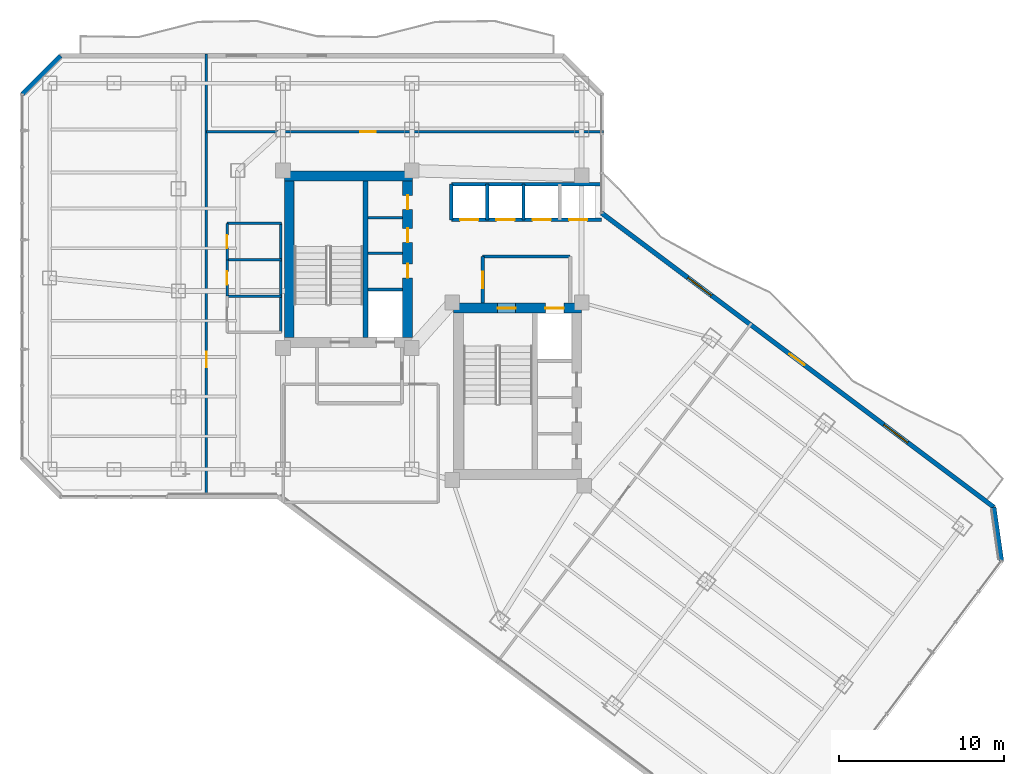
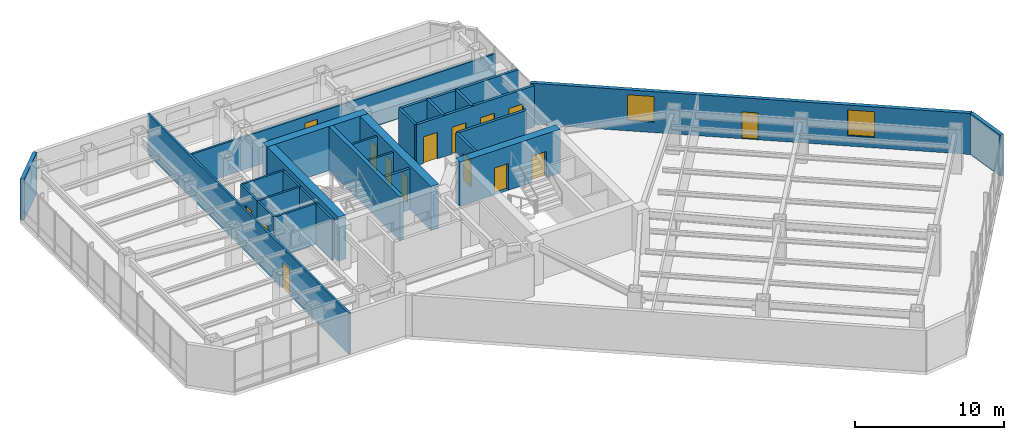
# One storey, part 23 of 29: 26 walls, 15 doors, 2 windows, 17 openings.
"""IFC4 building model written with IfcOpenShell, lengths in metres."""

from ifc_helpers import new_model, si_unit, direction, frame, frame_2d, origin, place, context, subcontext, project, spatial, rectangle, extrude, material, layer, layer_set, type_object, element, fill, save


model = new_model("IFC4")

# Units and contexts
model_context = context("Model", 3, precision=1e-05, world=origin(), true_north=direction((0.0, 1.0)))
body_context = subcontext(model_context, "Body", "Model", "MODEL_VIEW")
ifc_project = project(units=[si_unit("LENGTHUNIT", "METRE"), si_unit("AREAUNIT", "SQUARE_METRE"), si_unit("VOLUMEUNIT", "CUBIC_METRE"), si_unit("PLANEANGLEUNIT", "RADIAN"), si_unit("MASSUNIT", "GRAM", prefix="KILO")], contexts=[model_context])

# Site, building, storey
site_placement = place(None, origin())
site = spatial("IfcSite", under=ifc_project, at=site_placement, CompositionType="ELEMENT")
building_placement = place(site_placement, origin())
building = spatial("IfcBuilding", under=site, at=building_placement, Name="Hatsunagi Terrace Concourse", CompositionType="ELEMENT")
storey_placement = place(building_placement, frame((0.0, 0.0, 104.85009765625)))
storey = spatial("IfcBuildingStorey", under=building, at=storey_placement, Name="L27", CompositionType="ELEMENT", Elevation=104.85009765625)

# Walls
ifc_material_1 = material(Name="Concrete Fc48", Category="concrete")
ifc_layer_1 = layer(ifc_material_1, 0.60009765625)
ifc_layer_set_1 = layer_set([ifc_layer_1], Name="CoreShearWall_Fc48_600")
wall_type_1 = type_object("IfcWallType", Name="CoreShearWall_Fc48_600", PredefinedType="SHEAR", material=ifc_layer_set_1)
wall_1_placement = place(storey_placement, frame((25.6201171875, 42.969970703125, 0.0), z_axis=(0.0, 0.0, 1.0), x_axis=(1.0, 0.0, 0.0)))
element("IfcWall", 1, at=wall_1_placement, inside=storey, type_object=wall_type_1, Name="Core A Shear Wall N L27", PredefinedType="SHEAR", context=body_context, shape_type="SweptSolid", body=[
    extrude(rectangle(XDim=7.77978515625, YDim=0.60009765625, at=frame_2d((3.889892578125, 0.0))), origin(), (0.0, 0.0, 1.0), 3.599853515625),
])
wall_2_placement = place(storey_placement, frame((25.919921875, 33.18994140625, 0.0), z_axis=(0.0, 0.0, 1.0), x_axis=(0.0, 1.0, 0.0)))
element("IfcWall", 2, at=wall_2_placement, inside=storey, type_object=wall_type_1, Name="Core A Shear Wall W L27", PredefinedType="SHEAR", context=body_context, shape_type="SweptSolid", body=[
    extrude(rectangle(XDim=9.47998046875, YDim=0.60009765625, at=frame_2d((4.739990234375, 0.0))), origin(), (0.0, 0.0, 1.0), 3.599853515625),
])

# Wall, openings, doors
wall_3_placement = place(storey_placement, frame((33.10009765625, 33.18994140625, 0.0), z_axis=(0.0, 0.0, 1.0), x_axis=(0.0, 1.0, 0.0)))
wall_3 = element("IfcWall", 3, at=wall_3_placement, inside=storey, type_object=wall_type_1, Name="Core A Shear Wall E L27", PredefinedType="SHEAR", context=body_context, shape_type="SweptSolid", body=[
    extrude(rectangle(XDim=9.47998046875, YDim=0.60009765625, at=frame_2d((4.739990234375, 0.0))), origin(), (0.0, 0.0, 1.0), 3.599853515625),
])
opening_1_placement = place(wall_3_placement, frame((3.610107421875, 0.0, 0.0)))
opening_1 = element("IfcOpeningElement", 4, at=opening_1_placement, cuts=wall_3, Name="Opening DR-085", PredefinedType="OPENING", context=body_context, shape_type="SweptSolid", body=[
    extrude(rectangle(XDim=0.85009765625, YDim=2.080078125, at=frame_2d((0.425048828125, 1.0400390625))), frame((0.0, 0.31005859375, 0.0), z_axis=(0.0, -1.0, 0.0), x_axis=(1.0, 0.0, 0.0)), (0.0, 0.0, 1.0), 0.6201171875),
])
opening_2_placement = place(wall_3_placement, frame((5.760009765625, 0.0, 0.0)))
opening_2 = element("IfcOpeningElement", 5, at=opening_2_placement, cuts=wall_3, Name="Opening DR-085", PredefinedType="OPENING", context=body_context, shape_type="SweptSolid", body=[
    extrude(rectangle(XDim=0.85009765625, YDim=2.080078125, at=frame_2d((0.425048828125, 1.0400390625))), frame((0.0, 0.31005859375, 0.0), z_axis=(0.0, -1.0, 0.0), x_axis=(1.0, 0.0, 0.0)), (0.0, 0.0, 1.0), 0.6201171875),
])
opening_3_placement = place(wall_3_placement, frame((7.760009765625, 0.0, 0.0)))
opening_3 = element("IfcOpeningElement", 6, at=opening_3_placement, cuts=wall_3, Name="Opening DR-085", PredefinedType="OPENING", context=body_context, shape_type="SweptSolid", body=[
    extrude(rectangle(XDim=0.85009765625, YDim=2.080078125, at=frame_2d((0.425048828125, 1.0400390625))), frame((0.0, 0.31005859375, 0.0), z_axis=(0.0, -1.0, 0.0), x_axis=(1.0, 0.0, 0.0)), (0.0, 0.0, 1.0), 0.6201171875),
])
ifc_material_2 = material(Name="Painted steel", Category="steel")
door_type_1 = type_object("IfcDoorType", Name="RiserAccessDoor_EI60_850", OperationType="NOTDEFINED", PredefinedType="DOOR", material=ifc_material_2)
door_1_placement = place(opening_1_placement, origin())
door_1 = element("IfcDoor", 7, at=door_1_placement, inside=storey, type_object=door_type_1, Name="Core A Riser Door L27-1", OperationType="SINGLE_SWING_LEFT", OverallHeight=2.080078125, OverallWidth=0.85009765625, PredefinedType="DOOR", context=body_context, shape_type="SweptSolid", body=[
    extrude(rectangle(XDim=0.85009765625, YDim=2.080078125, at=frame_2d((0.425048828125, 1.0400390625))), frame((0.0, 0.02490234375, 0.0), z_axis=(0.0, -1.0, 0.0), x_axis=(1.0, 0.0, 0.0)), (0.0, 0.0, 1.0), 0.050048828125),
])
fill(opening_1, door_1)
door_2_placement = place(opening_2_placement, origin())
door_2 = element("IfcDoor", 8, at=door_2_placement, inside=storey, type_object=door_type_1, Name="Core A Riser Door L27-2", OperationType="SINGLE_SWING_LEFT", OverallHeight=2.080078125, OverallWidth=0.85009765625, PredefinedType="DOOR", context=body_context, shape_type="SweptSolid", body=[
    extrude(rectangle(XDim=0.85009765625, YDim=2.080078125, at=frame_2d((0.425048828125, 1.0400390625))), frame((0.0, 0.02490234375, 0.0), z_axis=(0.0, -1.0, 0.0), x_axis=(1.0, 0.0, 0.0)), (0.0, 0.0, 1.0), 0.050048828125),
])
fill(opening_2, door_2)
door_3_placement = place(opening_3_placement, origin())
door_3 = element("IfcDoor", 9, at=door_3_placement, inside=storey, type_object=door_type_1, Name="Core A Riser Door L27-3", OperationType="SINGLE_SWING_LEFT", OverallHeight=2.080078125, OverallWidth=0.85009765625, PredefinedType="DOOR", context=body_context, shape_type="SweptSolid", body=[
    extrude(rectangle(XDim=0.85009765625, YDim=2.080078125, at=frame_2d((0.425048828125, 1.0400390625))), frame((0.0, 0.02490234375, 0.0), z_axis=(0.0, -1.0, 0.0), x_axis=(1.0, 0.0, 0.0)), (0.0, 0.0, 1.0), 0.050048828125),
])
fill(opening_3, door_3)

wall_4_placement = place(storey_placement, frame((35.889892578125, 34.969970703125, 0.0), z_axis=(0.0, 0.0, 1.0), x_axis=(1.0, 0.0, 0.0)))
wall_4 = element("IfcWall", 10, at=wall_4_placement, inside=storey, type_object=wall_type_1, Name="Core B Shear Wall N L27", PredefinedType="SHEAR", context=body_context, shape_type="SweptSolid", body=[
    extrude(rectangle(XDim=7.760009765625, YDim=0.60009765625, at=frame_2d((3.8798828125, 0.0))), origin(), (0.0, 0.0, 1.0), 3.599853515625),
])
opening_4_placement = place(wall_4_placement, frame((2.659912109375, 0.0, 0.0)))
opening_4 = element("IfcOpeningElement", 11, at=opening_4_placement, cuts=wall_4, Name="Opening DR-110S", PredefinedType="OPENING", context=body_context, shape_type="SweptSolid", body=[
    extrude(rectangle(XDim=1.10009765625, YDim=2.199951171875, at=frame_2d((0.550048828125, 1.10009765625))), frame((0.0, 0.31005859375, 0.0), z_axis=(0.0, -1.0, 0.0), x_axis=(1.0, 0.0, 0.0)), (0.0, 0.0, 1.0), 0.6201171875),
])
opening_5_placement = place(wall_4_placement, frame((5.56005859375, 0.0, 0.0)))
opening_5 = element("IfcOpeningElement", 12, at=opening_5_placement, cuts=wall_4, Name="Opening LD-02", PredefinedType="OPENING", context=body_context, shape_type="SweptSolid", body=[
    extrude(rectangle(XDim=1.1201171875, YDim=2.14990234375, at=frame_2d((0.56005859375, 1.074951171875))), frame((0.0, 0.31005859375, 0.0), z_axis=(0.0, -1.0, 0.0), x_axis=(1.0, 0.0, 0.0)), (0.0, 0.0, 1.0), 0.6201171875),
])
ifc_material_3 = material(Name="Stainless steel", Category="steel")
door_type_2 = type_object("IfcDoorType", Name="LiftLandingDoor_LD02", OperationType="SLIDING_TO_RIGHT", PredefinedType="USERDEFINED", material=ifc_material_3)
door_4_placement = place(opening_5_placement, origin())
door_4 = element("IfcDoor", 13, at=door_4_placement, inside=storey, type_object=door_type_2, Name="Lift landing door FF-02 L27", ObjectType="SLIDING_LANDING_DOOR", OperationType="SLIDING_TO_RIGHT", OverallHeight=2.14990234375, OverallWidth=1.1201171875, PredefinedType="USERDEFINED", context=body_context, shape_type="SweptSolid", body=[
    extrude(rectangle(XDim=1.1201171875, YDim=2.14990234375, at=frame_2d((0.56005859375, 1.074951171875))), frame((0.0, 0.02490234375, 0.0), z_axis=(0.0, -1.0, 0.0), x_axis=(1.0, 0.0, 0.0)), (0.0, 0.0, 1.0), 0.050048828125),
])
fill(opening_5, door_4)
ifc_material_4 = material(Name="Painted steel", Category="steel")
door_type_3 = type_object("IfcDoorType", Name="StairFireDoor_EI60_1100", OperationType="NOTDEFINED", PredefinedType="DOOR", material=ifc_material_4)
door_5_placement = place(opening_4_placement, origin())
door_5 = element("IfcDoor", 14, at=door_5_placement, inside=storey, type_object=door_type_3, Name="Stair ST-B Exit Door L27", OperationType="SINGLE_SWING_RIGHT", OverallHeight=2.199951171875, OverallWidth=1.10009765625, PredefinedType="DOOR", context=body_context, shape_type="SweptSolid", body=[
    extrude(rectangle(XDim=1.10009765625, YDim=2.199951171875, at=frame_2d((0.550048828125, 1.10009765625))), frame((0.0, 0.02490234375, 0.0), z_axis=(0.0, -1.0, 0.0), x_axis=(1.0, 0.0, 0.0)), (0.0, 0.0, 1.0), 0.050048828125),
])
fill(opening_4, door_5)

# Walls
ifc_material_5 = material(Name="Concrete Fc48", Category="concrete")
ifc_layer_2 = layer(ifc_material_5, 0.300048828125)
ifc_layer_set_2 = layer_set([ifc_layer_2], Name="CoreStairDivider_Fc48_300")
wall_type_2 = type_object("IfcWallType", Name="CoreStairDivider_Fc48_300", PredefinedType="SHEAR", material=ifc_layer_set_2)
wall_5_placement = place(storey_placement, frame((30.5400390625, 33.18994140625, 0.0), z_axis=(0.0, 0.0, 1.0), x_axis=(0.0, 1.0, 0.0)))
element("IfcWall", 15, at=wall_5_placement, inside=storey, type_object=wall_type_2, Name="Core A Shear Wall D L27", PredefinedType="SHEAR", context=body_context, shape_type="SweptSolid", body=[
    extrude(rectangle(XDim=9.47998046875, YDim=0.300048828125, at=frame_2d((4.739990234375, 0.0))), origin(), (0.0, 0.0, 1.0), 3.599853515625),
])
ifc_material_6 = material(Name="Acoustic mineral board", Category="gypsum")
ifc_layer_3 = layer(ifc_material_6, 0.14990234375)
ifc_layer_set_3 = layer_set([ifc_layer_3], Name="PartitionWall_EI60_150")
wall_type_3 = type_object("IfcWallType", Name="PartitionWall_EI60_150", PredefinedType="PARTITIONING", material=ifc_layer_set_3)
for number, where, z_axis, x_axis, name in (
    (16, (30.699951171875, 38.300048828125, 0.0), (0.0, 0.0, 1.0), (1.0, 0.0, 0.0), "Interior Partition IW-L27-002"),
    (17, (30.699951171875, 40.449951171875, 0.0), (0.0, 0.0, 1.0), (1.0, 0.0, 0.0), "Interior Partition IW-L27-003"),
):
    element("IfcWall", number, at=place(storey_placement, frame(where, z_axis=z_axis, x_axis=x_axis)), inside=storey, type_object=wall_type_3, Name=name, PredefinedType="PARTITIONING", context=body_context, shape_type="SweptSolid", body=[
        extrude(rectangle(XDim=2.10009765625, YDim=0.14990234375, at=frame_2d((1.050048828125, 0.0))), origin(), (0.0, 0.0, 1.0), 3.349853515625),
    ])
wall_6_placement = place(storey_placement, frame((22.14990234375, 40.10009765625, 0.0), z_axis=(0.0, 0.0, 1.0), x_axis=(1.0, 0.0, 0.0)))
element("IfcWall", 18, at=wall_6_placement, inside=storey, type_object=wall_type_3, Name="Interior Partition IW-L27-020", PredefinedType="PARTITIONING", context=body_context, shape_type="SweptSolid", body=[
    extrude(rectangle(XDim=3.300048828125, YDim=0.14990234375, at=frame_2d((1.64990234375, 0.0))), origin(), (0.0, 0.0, 1.0), 3.349853515625),
])
wall_7_placement = place(storey_placement, frame((25.39990234375, 33.5, 0.0), z_axis=(0.0, 0.0, 1.0), x_axis=(0.0, 1.0, 0.0)))
element("IfcWall", 19, at=wall_7_placement, inside=storey, type_object=wall_type_3, Name="Interior Partition IW-L27-021", PredefinedType="PARTITIONING", context=body_context, shape_type="SweptSolid", body=[
    extrude(rectangle(XDim=6.60009765625, YDim=0.14990234375, at=frame_2d((3.300048828125, 0.0))), origin(), (0.0, 0.0, 1.0), 3.349853515625),
])
for number, where, z_axis, x_axis, name in (
    (20, (22.14990234375, 35.699951171875, 0.0), (0.0, 0.0, 1.0), (1.0, 0.0, 0.0), "Interior Partition IW-L27-022"),
    (21, (22.14990234375, 37.89990234375, 0.0), (0.0, 0.0, 1.0), (1.0, 0.0, 0.0), "Interior Partition IW-L27-023"),
):
    element("IfcWall", number, at=place(storey_placement, frame(where, z_axis=z_axis, x_axis=x_axis)), inside=storey, type_object=wall_type_3, Name=name, PredefinedType="PARTITIONING", context=body_context, shape_type="SweptSolid", body=[
        extrude(rectangle(XDim=3.300048828125, YDim=0.14990234375, at=frame_2d((1.64990234375, 0.0))), origin(), (0.0, 0.0, 1.0), 3.349853515625),
    ])

# Wall, opening, door
wall_8_placement = place(storey_placement, frame((22.14990234375, 35.699951171875, 0.0), z_axis=(0.0, 0.0, 1.0), x_axis=(0.0, 1.0, 0.0)))
wall_8 = element("IfcWall", 22, at=wall_8_placement, inside=storey, type_object=wall_type_3, Name="Interior Partition IW-L27-025", PredefinedType="PARTITIONING", context=body_context, shape_type="SweptSolid", body=[
    extrude(rectangle(XDim=2.199951171875, YDim=0.14990234375, at=frame_2d((1.10009765625, 0.0))), origin(), (0.0, 0.0, 1.0), 3.349853515625),
])
opening_6_placement = place(wall_8_placement, frame((0.699951171875, 0.0, 0.0)))
opening_6 = element("IfcOpeningElement", 23, at=opening_6_placement, cuts=wall_8, Name="Opening DR-080", PredefinedType="OPENING", context=body_context, shape_type="SweptSolid", body=[
    extrude(rectangle(XDim=0.800048828125, YDim=2.06005859375, at=frame_2d((0.39990234375, 1.030029296875))), frame((0.0, 0.0849609375, 0.0), z_axis=(0.0, -1.0, 0.0), x_axis=(1.0, 0.0, 0.0)), (0.0, 0.0, 1.0), 0.169921875),
])
ifc_material_7 = material(Name="Hardwood timber", Category="wood")
door_type_4 = type_object("IfcDoorType", Name="BathroomDoor_800", OperationType="NOTDEFINED", PredefinedType="DOOR", material=ifc_material_7)
door_6_placement = place(opening_6_placement, origin())
door_6 = element("IfcDoor", 24, at=door_6_placement, inside=storey, type_object=door_type_4, Name="Female Restroom Door L27", OperationType="SINGLE_SWING_RIGHT", OverallHeight=2.06005859375, OverallWidth=0.800048828125, PredefinedType="DOOR", context=body_context, shape_type="SweptSolid", body=[
    extrude(rectangle(XDim=0.800048828125, YDim=2.06005859375, at=frame_2d((0.39990234375, 1.030029296875))), frame((0.0, 0.02490234375, 0.0), z_axis=(0.0, -1.0, 0.0), x_axis=(1.0, 0.0, 0.0)), (0.0, 0.0, 1.0), 0.050048828125),
])
fill(opening_6, door_6)

wall_9_placement = place(storey_placement, frame((22.14990234375, 37.89990234375, 0.0), z_axis=(0.0, 0.0, 1.0), x_axis=(0.0, 1.0, 0.0)))
wall_9 = element("IfcWall", 25, at=wall_9_placement, inside=storey, type_object=wall_type_3, Name="Interior Partition IW-L27-026", PredefinedType="PARTITIONING", context=body_context, shape_type="SweptSolid", body=[
    extrude(rectangle(XDim=2.2001953125, YDim=0.14990234375, at=frame_2d((1.10009765625, 0.0))), origin(), (0.0, 0.0, 1.0), 3.349853515625),
])
opening_7_placement = place(wall_9_placement, frame((0.699951171875, 0.0, 0.0)))
opening_7 = element("IfcOpeningElement", 26, at=opening_7_placement, cuts=wall_9, Name="Opening DR-080", PredefinedType="OPENING", context=body_context, shape_type="SweptSolid", body=[
    extrude(rectangle(XDim=0.800048828125, YDim=2.06005859375, at=frame_2d((0.39990234375, 1.030029296875))), frame((0.0, 0.0849609375, 0.0), z_axis=(0.0, -1.0, 0.0), x_axis=(1.0, 0.0, 0.0)), (0.0, 0.0, 1.0), 0.169921875),
])
door_7_placement = place(opening_7_placement, origin())
door_7 = element("IfcDoor", 27, at=door_7_placement, inside=storey, type_object=door_type_4, Name="Male Restroom Door L27", OperationType="SINGLE_SWING_RIGHT", OverallHeight=2.06005859375, OverallWidth=0.800048828125, PredefinedType="DOOR", context=body_context, shape_type="SweptSolid", body=[
    extrude(rectangle(XDim=0.800048828125, YDim=2.06005859375, at=frame_2d((0.39990234375, 1.030029296875))), frame((0.0, 0.02490234375, 0.0), z_axis=(0.0, -1.0, 0.0), x_axis=(1.0, 0.0, 0.0)), (0.0, 0.0, 1.0), 0.050048828125),
])
fill(opening_7, door_7)

wall_10_placement = place(storey_placement, frame((20.89990234375, 23.43994140625, 0.0), z_axis=(0.0, 0.0, 1.0), x_axis=(0.0, 1.0, 0.0)))
wall_10 = element("IfcWall", 28, at=wall_10_placement, inside=storey, type_object=wall_type_3, Name="Interior Partition IW-L27-031", PredefinedType="PARTITIONING", context=body_context, shape_type="SweptSolid", body=[
    extrude(rectangle(XDim=26.920166015625, YDim=0.14990234375, at=frame_2d((13.4599609375, 0.0))), origin(), (0.0, 0.0, 1.0), 3.349853515625),
])
opening_8_placement = place(wall_10_placement, frame((7.943115234375, 0.0, 0.0)))
opening_8 = element("IfcOpeningElement", 29, at=opening_8_placement, cuts=wall_10, Name="Opening DR-095", PredefinedType="OPENING", context=body_context, shape_type="SweptSolid", body=[
    extrude(rectangle(XDim=0.949951171875, YDim=2.14990234375, at=frame_2d((0.47509765625, 1.074951171875))), frame((0.0, 0.0849609375, 0.0), z_axis=(0.0, -1.0, 0.0), x_axis=(1.0, 0.0, 0.0)), (0.0, 0.0, 1.0), 0.169921875),
])
ifc_material_8 = material(Name="Hardwood timber", Category="wood")
door_type_5 = type_object("IfcDoorType", Name="InteriorSuiteDoor_EI30_950", OperationType="NOTDEFINED", PredefinedType="DOOR", material=ifc_material_8)
door_8_placement = place(opening_8_placement, origin())
door_8 = element("IfcDoor", 30, at=door_8_placement, inside=storey, type_object=door_type_5, Name="Open Plan Office L27-OW1 Door", OperationType="SINGLE_SWING_RIGHT", OverallHeight=2.14990234375, OverallWidth=0.949951171875, PredefinedType="DOOR", context=body_context, shape_type="SweptSolid", body=[
    extrude(rectangle(XDim=0.949951171875, YDim=2.14990234375, at=frame_2d((0.47509765625, 1.074951171875))), frame((0.0, 0.02490234375, 0.0), z_axis=(0.0, -1.0, 0.0), x_axis=(1.0, 0.0, 0.0)), (0.0, 0.0, 1.0), 0.050048828125),
])
fill(opening_8, door_8)

wall_11_placement = place(storey_placement, frame((20.89990234375, 45.64990234375, 0.0), z_axis=(0.0, 0.0, 1.0), x_axis=(1.0, 0.0, 0.0)))
wall_11 = element("IfcWall", 31, at=wall_11_placement, inside=storey, type_object=wall_type_3, Name="Interior Partition IW-L27-032", PredefinedType="PARTITIONING", context=body_context, shape_type="SweptSolid", body=[
    extrude(rectangle(XDim=24.06005859375, YDim=0.14990234375, at=frame_2d((12.030029296875, 0.0))), origin(), (0.0, 0.0, 1.0), 2.69482421875),
])
opening_9_placement = place(wall_11_placement, frame((9.320068359375, 0.0, 0.0)))
opening_9 = element("IfcOpeningElement", 32, at=opening_9_placement, cuts=wall_11, Name="Opening DR-095", PredefinedType="OPENING", context=body_context, shape_type="SweptSolid", body=[
    extrude(rectangle(XDim=0.949951171875, YDim=2.14990234375, at=frame_2d((0.47509765625, 1.074951171875))), frame((0.0, 0.0849609375, 0.0), z_axis=(0.0, -1.0, 0.0), x_axis=(1.0, 0.0, 0.0)), (0.0, 0.0, 1.0), 0.169921875),
])
door_9_placement = place(opening_9_placement, origin())
door_9 = element("IfcDoor", 33, at=door_9_placement, inside=storey, type_object=door_type_5, Name="Collaboration Lounge L27-ON1 Door", OperationType="SINGLE_SWING_RIGHT", OverallHeight=2.14990234375, OverallWidth=0.949951171875, PredefinedType="DOOR", context=body_context, shape_type="SweptSolid", body=[
    extrude(rectangle(XDim=0.949951171875, YDim=2.14990234375, at=frame_2d((0.47509765625, 1.074951171875))), frame((0.0, 0.02490234375, 0.0), z_axis=(0.0, -1.0, 0.0), x_axis=(1.0, 0.0, 0.0)), (0.0, 0.0, 1.0), 0.050048828125),
])
fill(opening_9, door_9)

# Walls
ifc_material_9 = material(Name="Acoustic mineral board", Category="gypsum")
ifc_layer_4 = layer(ifc_material_9, 0.199951171875)
ifc_layer_set_4 = layer_set([ifc_layer_4], Name="ShaftWall_EI120_200")
wall_type_4 = type_object("IfcWallType", Name="ShaftWall_EI120_200", PredefinedType="STANDARD", material=ifc_layer_set_4)
wall_12_placement = place(storey_placement, frame((30.699951171875, 36.10009765625, 0.0), z_axis=(0.0, 0.0, 1.0), x_axis=(1.0, 0.0, 0.0)))
element("IfcWall", 34, at=wall_12_placement, inside=storey, type_object=wall_type_4, Name="Interior Partition IW-L27-001", PredefinedType="STANDARD", context=body_context, shape_type="SweptSolid", body=[
    extrude(rectangle(XDim=2.10009765625, YDim=0.199951171875, at=frame_2d((1.050048828125, 0.0))), origin(), (0.0, 0.0, 1.0), 3.349853515625),
])
wall_13_placement = place(storey_placement, frame((37.64990234375, 38.10009765625, 0.0), z_axis=(0.0, 0.0, 1.0), x_axis=(1.0, 0.0, 0.0)))
element("IfcWall", 35, at=wall_13_placement, inside=storey, type_object=wall_type_4, Name="Interior Partition IW-L27-010", PredefinedType="STANDARD", context=body_context, shape_type="SweptSolid", body=[
    extrude(rectangle(XDim=5.300048828125, YDim=0.199951171875, at=frame_2d((2.64990234375, 0.0))), origin(), (0.0, 0.0, 1.0), 3.349853515625),
])

# Wall, opening, door
wall_14_placement = place(storey_placement, frame((37.64990234375, 35.27001953125, 0.0), z_axis=(0.0, 0.0, 1.0), x_axis=(0.0, 1.0, 0.0)))
wall_14 = element("IfcWall", 36, at=wall_14_placement, inside=storey, type_object=wall_type_4, Name="Interior Partition IW-L27-012", PredefinedType="STANDARD", context=body_context, shape_type="SweptSolid", body=[
    extrude(rectangle(XDim=2.830078125, YDim=0.199951171875, at=frame_2d((1.4150390625, 0.0))), origin(), (0.0, 0.0, 1.0), 3.349853515625),
])
opening_10_placement = place(wall_14_placement, frame((0.9150390625, 0.0, 0.0)))
opening_10 = element("IfcOpeningElement", 37, at=opening_10_placement, cuts=wall_14, Name="Opening DR-100F", PredefinedType="OPENING", context=body_context, shape_type="SweptSolid", body=[
    extrude(rectangle(XDim=1.0, YDim=2.199951171875, at=frame_2d((0.5, 1.10009765625))), frame((0.0, 0.10986328125, 0.0), z_axis=(0.0, -1.0, 0.0), x_axis=(1.0, 0.0, 0.0)), (0.0, 0.0, 1.0), 0.219970703125),
])
ifc_material_10 = material(Name="Painted steel", Category="steel")
door_type_6 = type_object("IfcDoorType", Name="FireDoor_EI60_1000", OperationType="NOTDEFINED", PredefinedType="DOOR", material=ifc_material_10)
door_10_placement = place(opening_10_placement, origin())
door_10 = element("IfcDoor", 38, at=door_10_placement, inside=storey, type_object=door_type_6, Name="Firefighting Lobby B Door L27", OperationType="SINGLE_SWING_RIGHT", OverallHeight=2.199951171875, OverallWidth=1.0, PredefinedType="DOOR", context=body_context, shape_type="SweptSolid", body=[
    extrude(rectangle(XDim=1.0, YDim=2.199951171875, at=frame_2d((0.5, 1.10009765625))), frame((0.0, 0.02490234375, 0.0), z_axis=(0.0, -1.0, 0.0), x_axis=(1.0, 0.0, 0.0)), (0.0, 0.0, 1.0), 0.050048828125),
])
fill(opening_10, door_10)

# Walls
wall_15_placement = place(storey_placement, frame((35.75, 42.47998046875, 0.0), z_axis=(0.0, 0.0, 1.0), x_axis=(1.0, 0.0, 0.0)))
element("IfcWall", 39, at=wall_15_placement, inside=storey, type_object=wall_type_4, Name="Interior Partition IW-L27-013", PredefinedType="STANDARD", context=body_context, shape_type="SweptSolid", body=[
    extrude(rectangle(XDim=9.110107421875, YDim=0.199951171875, at=frame_2d((4.55517578125, 0.0))), origin(), (0.0, 0.0, 1.0), 3.349853515625),
])
for number, where, z_axis, x_axis, name in (
    (40, (35.75, 40.320068359375, 0.0), (0.0, 0.0, 1.0), (0.0, 1.0, 0.0), "Interior Partition IW-L27-014"),
    (41, (37.919921875, 40.320068359375, 0.0), (0.0, 0.0, 1.0), (0.0, 1.0, 0.0), "Interior Partition IW-L27-015"),
    (42, (40.1201171875, 40.320068359375, 0.0), (0.0, 0.0, 1.0), (0.0, 1.0, 0.0), "Interior Partition IW-L27-016"),
):
    element("IfcWall", number, at=place(storey_placement, frame(where, z_axis=z_axis, x_axis=x_axis)), inside=storey, type_object=wall_type_4, Name=name, PredefinedType="STANDARD", context=body_context, shape_type="SweptSolid", body=[
        extrude(rectangle(XDim=2.159912109375, YDim=0.199951171875, at=frame_2d((1.080078125, 0.0))), origin(), (0.0, 0.0, 1.0), 3.349853515625),
    ])

# Wall, openings, doors
wall_16_placement = place(storey_placement, frame((35.75, 40.320068359375, 0.0), z_axis=(0.0, 0.0, 1.0), x_axis=(1.0, 0.0, 0.0)))
wall_16 = element("IfcWall", 43, at=wall_16_placement, inside=storey, type_object=wall_type_4, Name="Interior Partition IW-L27-018", PredefinedType="STANDARD", context=body_context, shape_type="SweptSolid", body=[
    extrude(rectangle(XDim=9.110107421875, YDim=0.199951171875, at=frame_2d((4.55517578125, 0.0))), origin(), (0.0, 0.0, 1.0), 3.349853515625),
])
opening_11_placement = place(wall_16_placement, frame((0.530029296875, 0.0, 0.0)))
opening_11 = element("IfcOpeningElement", 44, at=opening_11_placement, cuts=wall_16, Name="Opening LD-04", PredefinedType="OPENING", context=body_context, shape_type="SweptSolid", body=[
    extrude(rectangle(XDim=1.10009765625, YDim=2.179931640625, at=frame_2d((0.550048828125, 1.08984375))), frame((0.0, 0.10986328125, 0.0), z_axis=(0.0, -1.0, 0.0), x_axis=(1.0, 0.0, 0.0)), (0.0, 0.0, 1.0), 0.219970703125),
])
opening_12_placement = place(wall_16_placement, frame((2.72998046875, 0.0, 0.0)))
opening_12 = element("IfcOpeningElement", 45, at=opening_12_placement, cuts=wall_16, Name="Opening LD-04", PredefinedType="OPENING", context=body_context, shape_type="SweptSolid", body=[
    extrude(rectangle(XDim=1.10009765625, YDim=2.179931640625, at=frame_2d((0.550048828125, 1.08984375))), frame((0.0, 0.10986328125, 0.0), z_axis=(0.0, -1.0, 0.0), x_axis=(1.0, 0.0, 0.0)), (0.0, 0.0, 1.0), 0.219970703125),
])
opening_13_placement = place(wall_16_placement, frame((4.929931640625, 0.0, 0.0)))
opening_13 = element("IfcOpeningElement", 46, at=opening_13_placement, cuts=wall_16, Name="Opening LD-04", PredefinedType="OPENING", context=body_context, shape_type="SweptSolid", body=[
    extrude(rectangle(XDim=1.10009765625, YDim=2.179931640625, at=frame_2d((0.550048828125, 1.08984375))), frame((0.0, 0.10986328125, 0.0), z_axis=(0.0, -1.0, 0.0), x_axis=(1.0, 0.0, 0.0)), (0.0, 0.0, 1.0), 0.219970703125),
])
opening_14_placement = place(wall_16_placement, frame((7.1298828125, 0.0, 0.0)))
opening_14 = element("IfcOpeningElement", 47, at=opening_14_placement, cuts=wall_16, Name="Opening LD-04", PredefinedType="OPENING", context=body_context, shape_type="SweptSolid", body=[
    extrude(rectangle(XDim=1.10009765625, YDim=2.179931640625, at=frame_2d((0.550048828125, 1.08984375))), frame((0.0, 0.10986328125, 0.0), z_axis=(0.0, -1.0, 0.0), x_axis=(1.0, 0.0, 0.0)), (0.0, 0.0, 1.0), 0.219970703125),
])
ifc_material_11 = material(Name="Stainless steel", Category="steel")
door_type_7 = type_object("IfcDoorType", Name="LiftLandingDoor_LD04", OperationType="SLIDING_TO_RIGHT", PredefinedType="USERDEFINED", material=ifc_material_11)
door_11_placement = place(opening_11_placement, origin())
door_11 = element("IfcDoor", 48, at=door_11_placement, inside=storey, type_object=door_type_7, Name="Lift landing door PL-05 L27", ObjectType="SLIDING_LANDING_DOOR", OperationType="SLIDING_TO_RIGHT", OverallHeight=2.179931640625, OverallWidth=1.10009765625, PredefinedType="USERDEFINED", context=body_context, shape_type="SweptSolid", body=[
    extrude(rectangle(XDim=1.10009765625, YDim=2.179931640625, at=frame_2d((0.550048828125, 1.08984375))), frame((0.0, 0.02490234375, 0.0), z_axis=(0.0, -1.0, 0.0), x_axis=(1.0, 0.0, 0.0)), (0.0, 0.0, 1.0), 0.050048828125),
])
fill(opening_11, door_11)
door_12_placement = place(opening_12_placement, origin())
door_12 = element("IfcDoor", 49, at=door_12_placement, inside=storey, type_object=door_type_7, Name="Lift landing door PL-06 L27", ObjectType="SLIDING_LANDING_DOOR", OperationType="SLIDING_TO_RIGHT", OverallHeight=2.179931640625, OverallWidth=1.10009765625, PredefinedType="USERDEFINED", context=body_context, shape_type="SweptSolid", body=[
    extrude(rectangle(XDim=1.10009765625, YDim=2.179931640625, at=frame_2d((0.550048828125, 1.08984375))), frame((0.0, 0.02490234375, 0.0), z_axis=(0.0, -1.0, 0.0), x_axis=(1.0, 0.0, 0.0)), (0.0, 0.0, 1.0), 0.050048828125),
])
fill(opening_12, door_12)
door_13_placement = place(opening_13_placement, origin())
door_13 = element("IfcDoor", 50, at=door_13_placement, inside=storey, type_object=door_type_7, Name="Lift landing door PL-07 L27", ObjectType="SLIDING_LANDING_DOOR", OperationType="SLIDING_TO_RIGHT", OverallHeight=2.179931640625, OverallWidth=1.10009765625, PredefinedType="USERDEFINED", context=body_context, shape_type="SweptSolid", body=[
    extrude(rectangle(XDim=1.10009765625, YDim=2.179931640625, at=frame_2d((0.550048828125, 1.08984375))), frame((0.0, 0.02490234375, 0.0), z_axis=(0.0, -1.0, 0.0), x_axis=(1.0, 0.0, 0.0)), (0.0, 0.0, 1.0), 0.050048828125),
])
fill(opening_13, door_13)
door_14_placement = place(opening_14_placement, origin())
door_14 = element("IfcDoor", 51, at=door_14_placement, inside=storey, type_object=door_type_7, Name="Lift landing door PL-08 L27", ObjectType="SLIDING_LANDING_DOOR", OperationType="SLIDING_TO_RIGHT", OverallHeight=2.179931640625, OverallWidth=1.10009765625, PredefinedType="USERDEFINED", context=body_context, shape_type="SweptSolid", body=[
    extrude(rectangle(XDim=1.10009765625, YDim=2.179931640625, at=frame_2d((0.550048828125, 1.08984375))), frame((0.0, 0.02490234375, 0.0), z_axis=(0.0, -1.0, 0.0), x_axis=(1.0, 0.0, 0.0)), (0.0, 0.0, 1.0), 0.050048828125),
])
fill(opening_14, door_14)

# Wall, openings, door, windows
ifc_material_12 = material(Name="Autoclaved Lightweight Concrete and Terracotta Cladding", Category="masonry")
ifc_layer_5 = layer(ifc_material_12, 0.280029296875)
ifc_layer_set_5 = layer_set([ifc_layer_5], Name="TerracottaSpandrelWall_280")
wall_type_5 = type_object("IfcWallType", Name="TerracottaSpandrelWall_280", PredefinedType="STANDARD", material=ifc_layer_set_5)
wall_17_placement = place(storey_placement, frame((44.860107421875, 40.72998046875, 0.0), z_axis=(0.0, 0.0, 1.0), x_axis=(0.800006902154, -0.599990797017, 0.0)))
wall_17 = element("IfcWall", 52, at=wall_17_placement, inside=storey, type_object=wall_type_5, Name="Exterior Spandrel Wall EW-L27-01", PredefinedType="STANDARD", context=body_context, shape_type="SweptSolid", body=[
    extrude(rectangle(XDim=29.7119140625, YDim=0.280029296875, at=frame_2d((14.85595703125, 0.0))), origin(), (0.0, 0.0, 1.0), 3.349853515625),
])
opening_15_placement = place(wall_17_placement, frame((14.2490234375, 0.0, 0.0)))
opening_15 = element("IfcOpeningElement", 53, at=opening_15_placement, cuts=wall_17, Name="Opening BD-01", PredefinedType="OPENING", context=body_context, shape_type="SweptSolid", body=[
    extrude(rectangle(XDim=1.10009765625, YDim=2.199951171875, at=frame_2d((0.550048828125, 1.10009765625))), frame((0.0, 0.14990234375, 0.0), z_axis=(0.0, -1.0, 0.0), x_axis=(1.0, 0.0, 0.0)), (0.0, 0.0, 1.0), 0.300048828125),
])
opening_16_placement = place(wall_17_placement, frame((6.528076171875, 0.0, 0.85009765625)))
opening_16 = element("IfcOpeningElement", 54, at=opening_16_placement, cuts=wall_17, Name="Opening WIN-03", PredefinedType="OPENING", context=body_context, shape_type="SweptSolid", body=[
    extrude(rectangle(XDim=1.800048828125, YDim=2.10009765625, at=frame_2d((0.89990234375, 1.050048828125))), frame((0.0, 0.14990234375, 0.0), z_axis=(0.0, -1.0, 0.0), x_axis=(1.0, 0.0, 0.0)), (0.0, 0.0, 1.0), 0.300048828125),
])
opening_17_placement = place(wall_17_placement, frame((21.384033203125, 0.0, 0.85009765625)))
opening_17 = element("IfcOpeningElement", 55, at=opening_17_placement, cuts=wall_17, Name="Opening WIN-03", PredefinedType="OPENING", context=body_context, shape_type="SweptSolid", body=[
    extrude(rectangle(XDim=1.800048828125, YDim=2.10009765625, at=frame_2d((0.89990234375, 1.050048828125))), frame((0.0, 0.14990234375, 0.0), z_axis=(0.0, -1.0, 0.0), x_axis=(1.0, 0.0, 0.0)), (0.0, 0.0, 1.0), 0.300048828125),
])
ifc_material_13 = material(Name="Galvanised Steel and Laminated Safety Glass", Category="steel")
door_type_8 = type_object("IfcDoorType", Name="BalconyTerraceAccessDoor_1100x2200", OperationType="SINGLE_SWING_LEFT", PredefinedType="DOOR", material=ifc_material_13)
door_15_placement = place(opening_15_placement, origin())
door_15 = element("IfcDoor", 56, at=door_15_placement, inside=storey, type_object=door_type_8, Name="Engawa Balcony Door L27-BSE", OperationType="SINGLE_SWING_LEFT", OverallHeight=2.199951171875, OverallWidth=1.10009765625, PredefinedType="DOOR", context=body_context, shape_type="SweptSolid", body=[
    extrude(rectangle(XDim=1.10009765625, YDim=2.199951171875, at=frame_2d((0.550048828125, 1.10009765625))), frame((0.0, 0.02490234375, 0.0), z_axis=(0.0, -1.0, 0.0), x_axis=(1.0, 0.0, 0.0)), (0.0, 0.0, 1.0), 0.050048828125),
])
fill(opening_15, door_15)
ifc_material_14 = material(Name="Thermally Broken Aluminium and Low-E Triple Glazing", Category="aluminium")
window_type = type_object("IfcWindowType", Name="OfficeCornerFeatureWindow_1800x2100", PartitioningType="SINGLE_PANEL", PredefinedType="WINDOW", material=ifc_material_14)
window_1_placement = place(opening_16_placement, origin())
window_1 = element("IfcWindow", 57, at=window_1_placement, inside=storey, type_object=window_type, Name="Balcony Daylighting Window L27-01-1", OverallHeight=2.10009765625, OverallWidth=1.800048828125, PartitioningType="SINGLE_PANEL", PredefinedType="WINDOW", context=body_context, shape_type="SweptSolid", body=[
    extrude(rectangle(XDim=1.800048828125, YDim=2.10009765625, at=frame_2d((0.89990234375, 1.050048828125))), frame((0.0, 0.030029296875, 0.0), z_axis=(0.0, -1.0, 0.0), x_axis=(1.0, 0.0, 0.0)), (0.0, 0.0, 1.0), 0.06005859375),
])
fill(opening_16, window_1)
window_2_placement = place(opening_17_placement, origin())
window_2 = element("IfcWindow", 58, at=window_2_placement, inside=storey, type_object=window_type, Name="Balcony Daylighting Window L27-01-2", OverallHeight=2.10009765625, OverallWidth=1.800048828125, PartitioningType="SINGLE_PANEL", PredefinedType="WINDOW", context=body_context, shape_type="SweptSolid", body=[
    extrude(rectangle(XDim=1.800048828125, YDim=2.10009765625, at=frame_2d((0.89990234375, 1.050048828125))), frame((0.0, 0.030029296875, 0.0), z_axis=(0.0, -1.0, 0.0), x_axis=(1.0, 0.0, 0.0)), (0.0, 0.0, 1.0), 0.06005859375),
])
fill(opening_17, window_2)

# Walls
wall_18_placement = place(storey_placement, frame((68.6298828125, 22.903076171875, 0.0), z_axis=(0.0, 0.0, 1.0), x_axis=(0.141285803956, -0.989968848803, 0.0)))
element("IfcWall", 59, at=wall_18_placement, inside=storey, type_object=wall_type_5, Name="Exterior Spandrel Wall EW-L27-02", PredefinedType="STANDARD", context=body_context, shape_type="SweptSolid", body=[
    extrude(rectangle(XDim=3.278076171875, YDim=0.280029296875, at=frame_2d((1.63916015625, 0.0))), origin(), (0.0, 0.0, 1.0), 3.349853515625),
])
wall_19_placement = place(storey_placement, frame((9.739990234375, 47.94189453125, 0.0), z_axis=(0.0, 0.0, 1.0), x_axis=(0.707106781187, 0.707106781187, 0.0)))
element("IfcWall", 60, at=wall_19_placement, inside=storey, type_object=wall_type_5, Name="Exterior Spandrel Wall EW-L27-10", PredefinedType="STANDARD", context=body_context, shape_type="SweptSolid", body=[
    extrude(rectangle(XDim=3.2783203125, YDim=0.280029296875, at=frame_2d((1.63916015625, 0.0))), origin(), (0.0, 0.0, 1.0), 3.349853515625),
])

save(model, "model.ifc")
